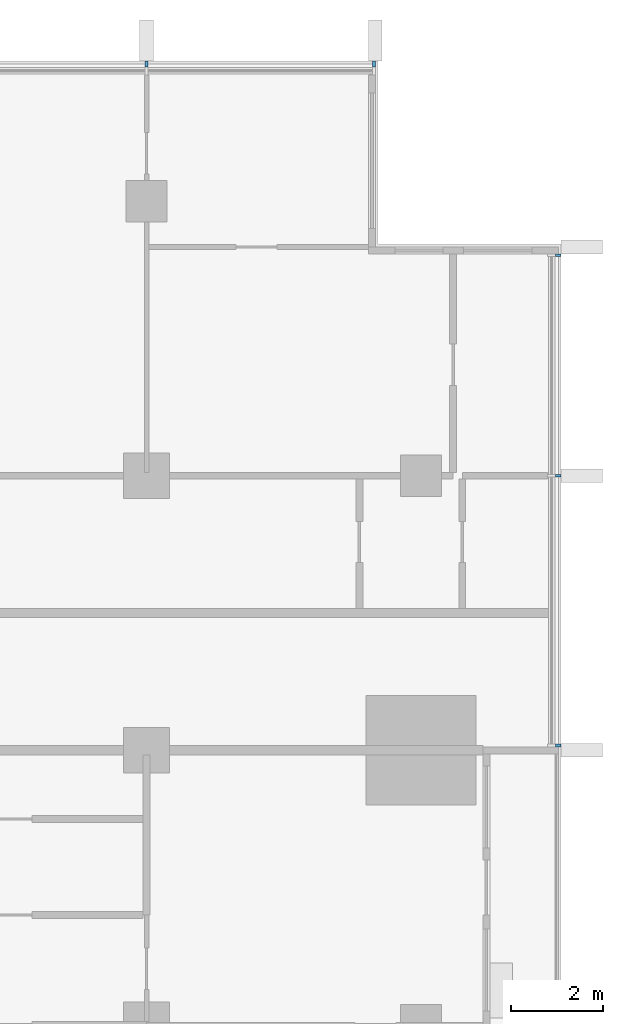
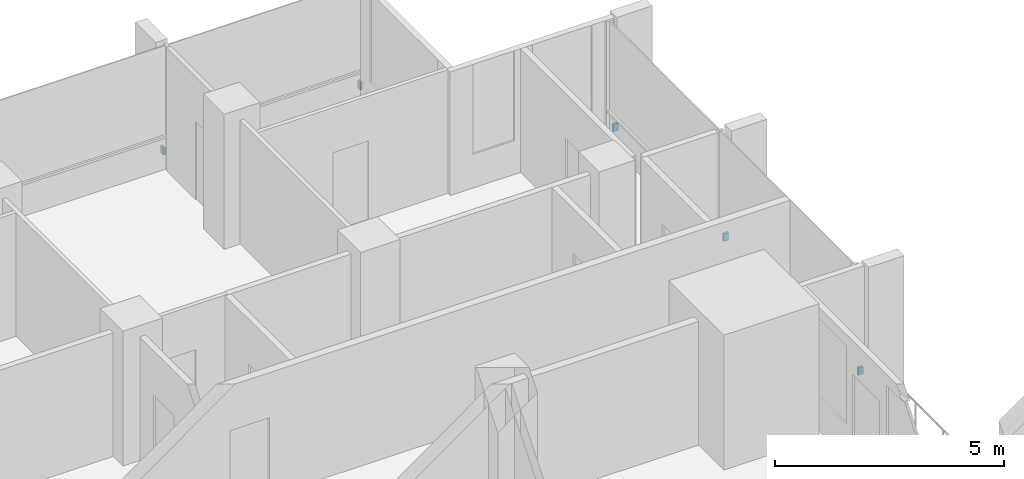
# One storey, part 16 of 17: 5 discrete accessories.
"""IFC4 building model written with IfcOpenShell, lengths in metres."""

from ifc_helpers import new_model, si_unit, direction, frame, origin, origin_2d, place, context, subcontext, project, spatial, rectangle, extrude, material, type_object, element, save


model = new_model("IFC4")

# Units and contexts
model_context = context("Model", 3, precision=1e-05, world=origin(), true_north=direction((0.0, 1.0)))
body_context = subcontext(model_context, "Body", "Model", "MODEL_VIEW")
ifc_project = project(units=[si_unit("LENGTHUNIT", "METRE"), si_unit("AREAUNIT", "SQUARE_METRE"), si_unit("VOLUMEUNIT", "CUBIC_METRE"), si_unit("PLANEANGLEUNIT", "RADIAN"), si_unit("MASSUNIT", "GRAM", prefix="KILO")], contexts=[model_context])

# Site, building, storey
site_placement = place(None, origin())
site = spatial("IfcSite", under=ifc_project, at=site_placement, CompositionType="ELEMENT")
building_placement = place(site_placement, origin())
building = spatial("IfcBuilding", under=site, at=building_placement, Name="Finial Court Residences", CompositionType="ELEMENT")
storey_placement = place(building_placement, frame((0.0, 0.0, 152.89990234375)))
storey = spatial("IfcBuildingStorey", under=building, at=storey_placement, Name="L37", CompositionType="ELEMENT", Elevation=152.89990234375)

# Discrete accessories
ifc_material = material(Name="Stainless steel 316", Category="steel")
discrete_accessory_type = type_object("IfcDiscreteAccessoryType", Name="Fin bracket, stainless steel 60 x 122 x 200", PredefinedType="BRACKET", material=ifc_material)
for number, where, z_axis, x_axis, name in (
    (1, (10.5, 22.498779296875, 0.30029296875), (0.0, 0.0, 1.0), (1.0, 0.0, 0.0), "E-L37-FIN-N5-BRK"),
    (2, (15.469970703125, 22.498779296875, 0.30029296875), (0.0, 0.0, 1.0), (1.0, 0.0, 0.0), "E-L37-FIN-N6-BRK"),
):
    element("IfcDiscreteAccessory", number, at=place(storey_placement, frame(where, z_axis=z_axis, x_axis=x_axis)), inside=storey, type_object=discrete_accessory_type, Name=name, PredefinedType="BRACKET", context=body_context, shape_type="SweptSolid", body=[
        extrude(rectangle(XDim=0.06005859375, YDim=0.12255859375, at=origin_2d()), origin(), (0.0, 0.0, 1.0), 0.199951171875),
    ])
for number, where, z_axis, x_axis, name in (
    (3, (19.498779296875, 7.60498046875, 0.30029296875), (0.0, 0.0, 1.0), (1.0, 0.0, 0.0), "E-L37-FIN-E11-BRK"),
    (4, (19.498779296875, 13.5, 0.30029296875), (0.0, 0.0, 1.0), (1.0, 0.0, 0.0), "E-L37-FIN-E12-BRK"),
    (5, (19.498779296875, 18.320068359375, 0.30029296875), (0.0, 0.0, 1.0), (1.0, 0.0, 0.0), "E-L37-FIN-E13-BRK"),
):
    element("IfcDiscreteAccessory", number, at=place(storey_placement, frame(where, z_axis=z_axis, x_axis=x_axis)), inside=storey, type_object=discrete_accessory_type, Name=name, PredefinedType="BRACKET", context=body_context, shape_type="SweptSolid", body=[
        extrude(rectangle(XDim=0.12255859375, YDim=0.06005859375, at=origin_2d()), origin(), (0.0, 0.0, 1.0), 0.199951171875),
    ])

save(model, "model.ifc")
